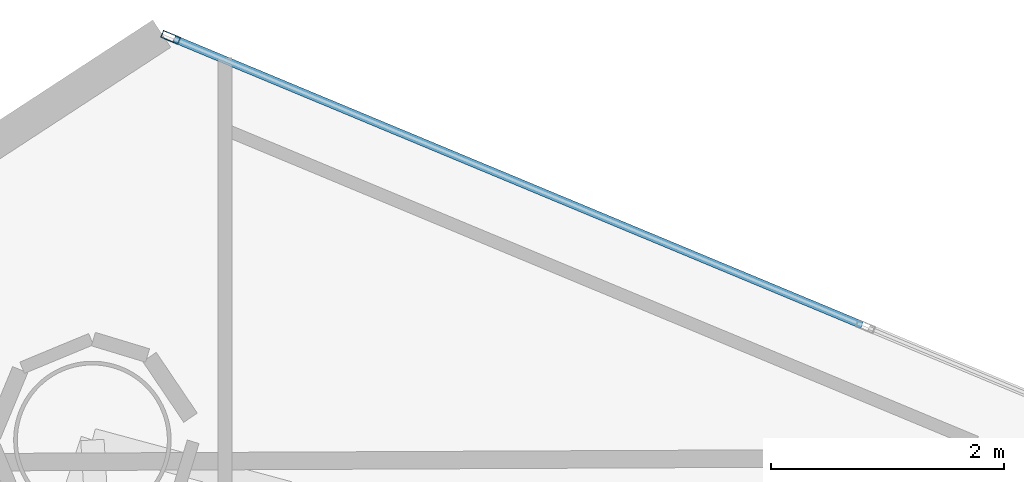
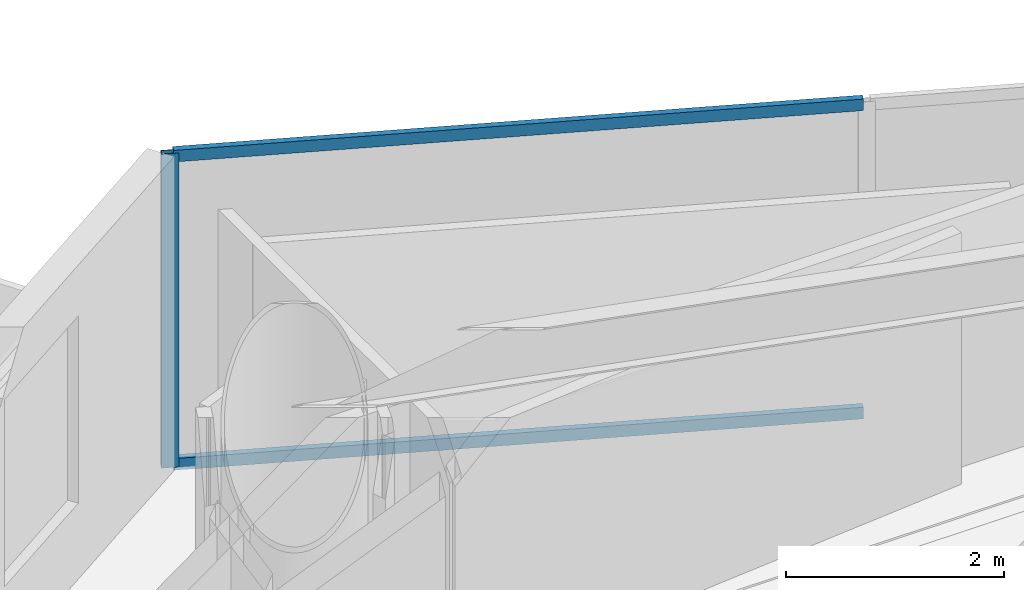
# One storey, part 16 of 22: 3 members, 1 element without a shape of its own.
"""IFC4 building model written with IfcOpenShell, lengths in metres."""

import ifcopenshell
import ifcopenshell.guid

model = None  # the IFC model being written
_history = None  # IfcOwnerHistory: only IFC2X3 demands one
_inside = {}  # id of a spatial element -> (the spatial element, [elements in it])
_under = {}  # id of a project, library or spatial element -> (it, [spatial elements below it])
_declared = {}  # id of a project -> (the project, [libraries it declares])
_typed = {}  # id of a type object -> (the type object, [elements of that type])
_made_of = {}  # id of a material, layer set ... -> (it, [elements and type objects made of it])


def new_model(schema):
    """Start an empty IFC model of exactly this schema.

    Asked for "IFC4X3", IfcOpenShell would pick the latest addendum, in which some entities
    have other attributes; the version numbers below select the first issue.
    IFC2X3 requires an IfcOwnerHistory on every rooted entity: one is made here for all.
    """
    global model, _history
    if schema == "IFC4X3":
        model = ifcopenshell.file(schema_version=(4, 3, 0, 0))
    else:
        model = ifcopenshell.file(schema=schema)
    _inside.clear()
    _under.clear()
    _declared.clear()
    _typed.clear()
    _made_of.clear()
    _history = None
    if model.schema == "IFC2X3":
        org = make("IfcOrganization", Name="unknown")
        user = make(
            "IfcPersonAndOrganization",
            ThePerson=make("IfcPerson", FamilyName="unknown"),
            TheOrganization=org,
        )
        app = make(
            "IfcApplication",
            ApplicationDeveloper=org,
            Version="unknown",
            ApplicationFullName="unknown",
            ApplicationIdentifier="unknown",
        )
        _history = make(
            "IfcOwnerHistory",
            OwningUser=user,
            OwningApplication=app,
            ChangeAction="ADDED",
            CreationDate=0,
        )
    return model


def make(cls, **values):
    """One entity of the class cls with the attributes given. An attribute that is None is left unset."""
    return model.create_entity(
        cls, **{name: value for name, value in values.items() if value is not None}
    )


def rooted(cls, **values):
    """An entity with a GlobalId (a new one), such as an element, a storey or a relation."""
    return make(cls, GlobalId=ifcopenshell.guid.new(), OwnerHistory=_history, **values)


def si_unit(unit_type, name, prefix=None):
    """IfcSIUnit, for example si_unit("LENGTHUNIT", "METRE", prefix="MILLI")."""
    return make("IfcSIUnit", UnitType=unit_type, Prefix=prefix, Name=name)


def assignment(units):
    """IfcUnitAssignment: the units of a project."""
    return None if units is None else make("IfcUnitAssignment", Units=units)


def point(xyz):
    """IfcCartesianPoint."""
    return None if xyz is None else make("IfcCartesianPoint", Coordinates=xyz)


def direction(xyz):
    """IfcDirection."""
    return None if xyz is None else make("IfcDirection", DirectionRatios=xyz)


def frame(location, z_axis=None, x_axis=None):
    """IfcAxis2Placement3D, a coordinate frame: its origin and axes. An axis left out is left unset."""
    return make(
        "IfcAxis2Placement3D",
        Location=point(location),
        Axis=direction(z_axis),
        RefDirection=direction(x_axis),
    )


def frame_2d(location, x_axis=None):
    """IfcAxis2Placement2D, a coordinate frame in the plane: its origin and x axis."""
    return make(
        "IfcAxis2Placement2D", Location=point(location), RefDirection=direction(x_axis)
    )


def origin():
    """The frame at (0, 0, 0) with its axes left unset."""
    return frame((0.0, 0.0, 0.0))


def origin_2d():
    """The frame at (0, 0) in the plane with its x axis left unset."""
    return frame_2d((0.0, 0.0))


def place(relative_to, where):
    """IfcLocalPlacement: puts the frame where relative to a parent placement (None: the world)."""
    return make(
        "IfcLocalPlacement", PlacementRelTo=relative_to, RelativePlacement=where
    )


def context(
    kind, dimensions, precision=None, world=None, true_north=None, identifier=None
):
    """IfcGeometricRepresentationContext, for example the 3D "Model" context."""
    return make(
        "IfcGeometricRepresentationContext",
        ContextIdentifier=identifier,
        ContextType=kind,
        CoordinateSpaceDimension=dimensions,
        Precision=precision,
        WorldCoordinateSystem=world,
        TrueNorth=true_north,
    )


def subcontext(parent, identifier, kind, view, scale=None):
    """IfcGeometricRepresentationSubContext, for example "Body" below "Model"."""
    return make(
        "IfcGeometricRepresentationSubContext",
        ContextIdentifier=identifier,
        ContextType=kind,
        ParentContext=parent,
        TargetScale=scale,
        TargetView=view,
    )


def project(units=None, contexts=None):
    """IfcProject with its units and contexts."""
    return rooted(
        "IfcProject",
        Name="project",
        RepresentationContexts=contexts,
        UnitsInContext=assignment(units),
    )


def spatial(cls, under=None, at=None, **own):
    """A site, building, storey or space (cls), placed at a placement, below another one or the project."""
    s = rooted(cls, ObjectPlacement=at, **own)
    if under is not None:
        _under.setdefault(under.id(), (under, []))[1].append(s)
    return s


def profile(cls, at=None, kind="AREA", **sizes):
    """A parametric profile (cls). Its sizes go by their IFC names, for example OverallWidth=200.0."""
    return make(cls, ProfileType=kind, Position=at, **sizes)


def hollow_rectangle(**sizes):
    """IfcRectangleHollowProfileDef."""
    return profile("IfcRectangleHollowProfileDef", **sizes)


def extrude(swept, where, along, depth):
    """IfcExtrudedAreaSolid: the profile swept, set in the frame where, extruded along a direction by depth."""
    return make(
        "IfcExtrudedAreaSolid",
        SweptArea=swept,
        Position=where,
        ExtrudedDirection=direction(along),
        Depth=depth,
    )


def shape(context_of_items, identifier, shape_type, items):
    """IfcShapeRepresentation: the items that make up one representation, for example the "Body"."""
    return make(
        "IfcShapeRepresentation",
        ContextOfItems=context_of_items,
        RepresentationIdentifier=identifier,
        RepresentationType=shape_type,
        Items=items,
    )


def material(Name=None, Category=None):
    """IfcMaterial."""
    return make("IfcMaterial", Name=Name, Category=Category)


def layer(
    of_material, thickness, ventilated=None, Name=None, Category=None, Priority=None
):
    """IfcMaterialLayer: one layer of a wall or slab, of a material (None: an air gap)."""
    return make(
        "IfcMaterialLayer",
        Material=of_material,
        LayerThickness=thickness,
        IsVentilated=ventilated,
        Name=Name,
        Category=Category,
        Priority=Priority,
    )


def layer_set(layers, Name=None):
    """IfcMaterialLayerSet."""
    return make("IfcMaterialLayerSet", MaterialLayers=layers, LayerSetName=Name)


def material_profile(
    of_material, cross_section, Name=None, Category=None, Priority=None
):
    """IfcMaterialProfile: a cross section and its material."""
    return make(
        "IfcMaterialProfile",
        Name=Name,
        Material=of_material,
        Profile=cross_section,
        Priority=Priority,
        Category=Category,
    )


def profile_set(profiles, Name=None, composite=None):
    """IfcMaterialProfileSet."""
    return make(
        "IfcMaterialProfileSet",
        Name=Name,
        MaterialProfiles=profiles,
        CompositeProfile=composite,
    )


def made_of(thing, what):
    """Note that an element or type object is made of a material, layer set ...; save() writes the relation."""
    if what is not None:
        _made_of.setdefault(what.id(), (what, []))[1].append(thing)
    return thing


def type_object(cls, material=None, **own):
    """A type object (cls), such as IfcWallType, which elements share."""
    return made_of(rooted(cls, **own), material)


def element(
    cls,
    number,
    at=None,
    inside=None,
    cuts=None,
    type_object=None,
    material=None,
    context=None,
    identifier="Body",
    shape_type=None,
    held_by="IfcProductDefinitionShape",
    body=None,
    shapes=None,
    **own,
):
    """One element of the class cls, such as IfcWall. Its Tag is "e" and its number.

    at: its placement. inside: the storey or other place that contains it. cuts: it is an
    opening in that element (IfcRelVoidsElement). A single representation is given by context,
    identifier, shape_type and body (its items); several are given by shapes. held_by: the class
    of the entity that holds the representations. save() writes the other relations.
    """
    e = rooted(cls, Tag="e%d" % number, ObjectPlacement=at, **own)
    if body is not None:
        shapes = [shape(context, identifier, shape_type, body)]
    if shapes is not None:
        e.Representation = make(held_by, Representations=shapes)
    if inside is not None:
        _inside.setdefault(inside.id(), (inside, []))[1].append(e)
    if cuts is not None:
        rooted(
            "IfcRelVoidsElement", RelatingBuildingElement=cuts, RelatedOpeningElement=e
        )
    if type_object is not None:
        _typed.setdefault(type_object.id(), (type_object, []))[1].append(e)
    return made_of(e, material)


def aggregate(whole, parts):
    """IfcRelAggregates: a whole, such as a stair, and the parts it consists of."""
    return rooted("IfcRelAggregates", RelatingObject=whole, RelatedObjects=parts)


def save(model, path):
    """Write the relations noted so far, then the file.

    IfcRelAggregates (storeys below a building ...), IfcRelContainedInSpatialStructure (elements
    in a storey), IfcRelDefinesByType, IfcRelAssociatesMaterial and IfcRelDeclares: one each for
    every whole, place, type object, material and project.
    """
    for whole, parts in _under.values():
        aggregate(whole, parts)
    for where, things in _inside.values():
        rooted(
            "IfcRelContainedInSpatialStructure",
            RelatedElements=things,
            RelatingStructure=where,
        )
    for kind, things in _typed.values():
        rooted("IfcRelDefinesByType", RelatedObjects=things, RelatingType=kind)
    for what, things in _made_of.values():
        rooted("IfcRelAssociatesMaterial", RelatedObjects=things, RelatingMaterial=what)
    for by, libraries in _declared.values():
        rooted("IfcRelDeclares", RelatingContext=by, RelatedDefinitions=libraries)
    model.write(path)


model = new_model("IFC4")

# Units and contexts
model_context = context("Model", 3, precision=1e-05, world=origin(), true_north=direction((0.0, 1.0)))
body_context = subcontext(model_context, "Body", "Model", "MODEL_VIEW")
ifc_project = project(units=[si_unit("LENGTHUNIT", "METRE"), si_unit("AREAUNIT", "SQUARE_METRE"), si_unit("VOLUMEUNIT", "CUBIC_METRE"), si_unit("PLANEANGLEUNIT", "RADIAN"), si_unit("MASSUNIT", "GRAM", prefix="KILO")], contexts=[model_context])

# Site, building, storey
site_placement = place(None, origin())
site = spatial("IfcSite", under=ifc_project, at=site_placement, CompositionType="ELEMENT")
building_placement = place(site_placement, origin())
building = spatial("IfcBuilding", under=site, at=building_placement, Name="Qianvela Tower", CompositionType="ELEMENT")
storey_placement = place(building_placement, frame((0.0, 0.0, 158.699951171875)))
storey = spatial("IfcBuildingStorey", under=building, at=storey_placement, Name="L40", CompositionType="ELEMENT", Elevation=158.699951171875)

# Curtain wall, members
ifc_material_1 = material(Name="Anodised Architectural Aluminium and Low-E Glass", Category="aluminium")
ifc_layer = layer(ifc_material_1, 0.169921875)
ifc_layer_set = layer_set([ifc_layer], Name="Anodised Architectural Aluminium and Low-E Glass")
curtain_wall_type = type_object("IfcCurtainWallType", Name="CW-COLIV-Z34", PredefinedType="USERDEFINED", material=ifc_layer_set)
curtain_wall_placement = place(storey_placement, origin())
curtain_wall = element("IfcCurtainWall", 1, at=curtain_wall_placement, inside=storey, type_object=curtain_wall_type, Name="L40 CW-COLIV-Z34 Curtain Wall 02C", ObjectType="CURTAIN_WALL_SYSTEM", PredefinedType="USERDEFINED")
ifc_material_2 = material(Name="Anodised Architectural Aluminium 6063-T6", Category="aluminium")
ifc_material_profile_1 = material_profile(ifc_material_2, hollow_rectangle(XDim=0.06494140625, YDim=0.159912109375, WallThickness=0.0048828125, at=origin_2d()), Name="ALU-MULL-65x160")
ifc_profile_set_1 = profile_set([ifc_material_profile_1], Name="Anodised Architectural Aluminium 6063-T6")
member_type_1 = type_object("IfcMemberType", Name="CW-COLIV-Z34-MULL", PredefinedType="MULLION", material=ifc_profile_set_1)
member_1_placement = place(storey_placement, frame((28.906005859375, 42.86279296875, 0.0), z_axis=(0.0, 0.0, 1.0), x_axis=(-0.384182286726, -0.923257261312, 0.0)))
member_1 = element("IfcMember", 2, at=member_1_placement, type_object=member_type_1, Name="CW-4 mullion 3", PredefinedType="MULLION", context=body_context, shape_type="SweptSolid", body=[
    extrude(hollow_rectangle(XDim=0.06494140625, YDim=0.159912109375, WallThickness=0.0048828125, at=origin_2d()), origin(), (0.0, 0.0, 1.0), 3.52001953125),
])
ifc_material_3 = material(Name="Anodised Architectural Aluminium 6063-T6", Category="aluminium")
ifc_material_profile_2 = material_profile(ifc_material_3, hollow_rectangle(XDim=0.06494140625, YDim=0.1298828125, WallThickness=0.00439453125, at=origin_2d()), Name="ALU-TRAN-65x130")
ifc_profile_set_2 = profile_set([ifc_material_profile_2], Name="Anodised Architectural Aluminium 6063-T6")
member_type_2 = type_object("IfcMemberType", Name="CW-COLIV-Z34-TRAN", PredefinedType="USERDEFINED", material=ifc_profile_set_2)
member_2_placement = place(storey_placement, frame((34.8330078125, 40.396240234375, 0.032470703125), z_axis=(-0.923247586304, 0.384205536639, 0.0), x_axis=(-0.384205536639, -0.923247586304, 0.0)))
member_2 = element("IfcMember", 3, at=member_2_placement, type_object=member_type_2, Name="CW-4 transom 2.1", ObjectType="TRANSOM", PredefinedType="USERDEFINED", context=body_context, shape_type="SweptSolid", body=[
    extrude(hollow_rectangle(XDim=0.06494140625, YDim=0.1298828125, WallThickness=0.00439453125, at=origin_2d()), origin(), (0.0, 0.0, 1.0), 6.387451171875),
])
member_3_placement = place(storey_placement, frame((34.8330078125, 40.396240234375, 3.487548828125), z_axis=(-0.923247586304, 0.384205536639, 0.0), x_axis=(-0.384205536639, -0.923247586304, 0.0)))
member_3 = element("IfcMember", 4, at=member_3_placement, type_object=member_type_2, Name="CW-4 transom 2.2", ObjectType="TRANSOM", PredefinedType="USERDEFINED", context=body_context, shape_type="SweptSolid", body=[
    extrude(hollow_rectangle(XDim=0.06494140625, YDim=0.1298828125, WallThickness=0.00439453125, at=origin_2d()), origin(), (0.0, 0.0, 1.0), 6.387451171875),
])
aggregate(curtain_wall, [member_1, member_2, member_3])

save(model, "model.ifc")
